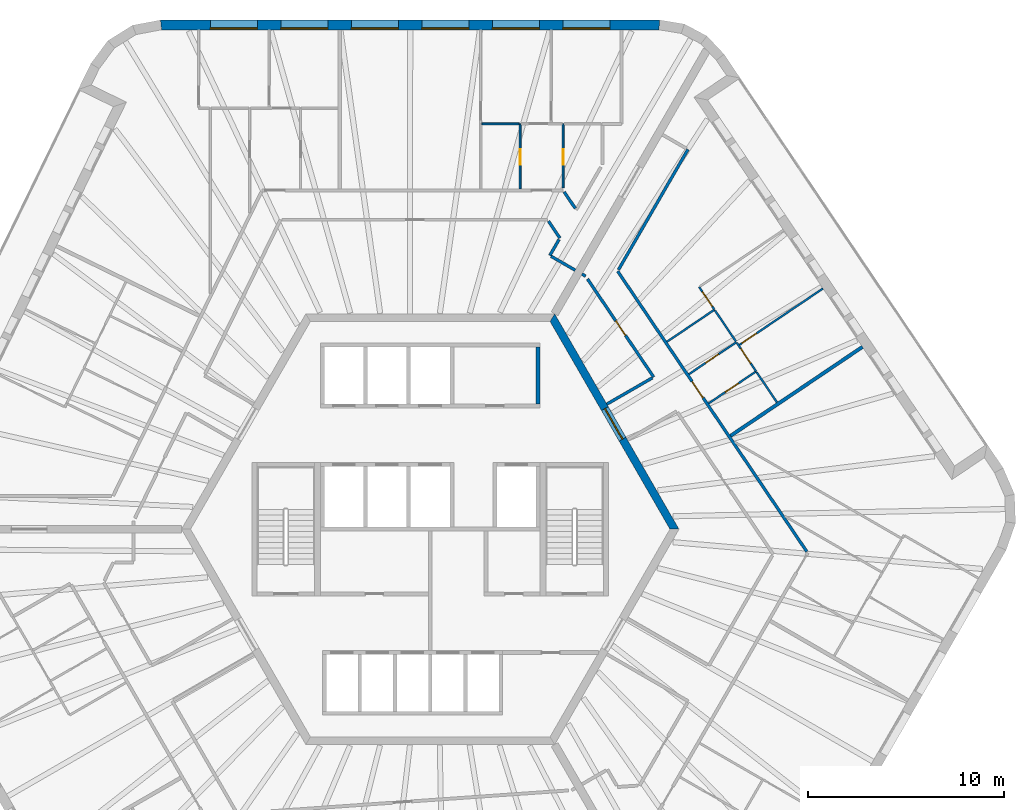
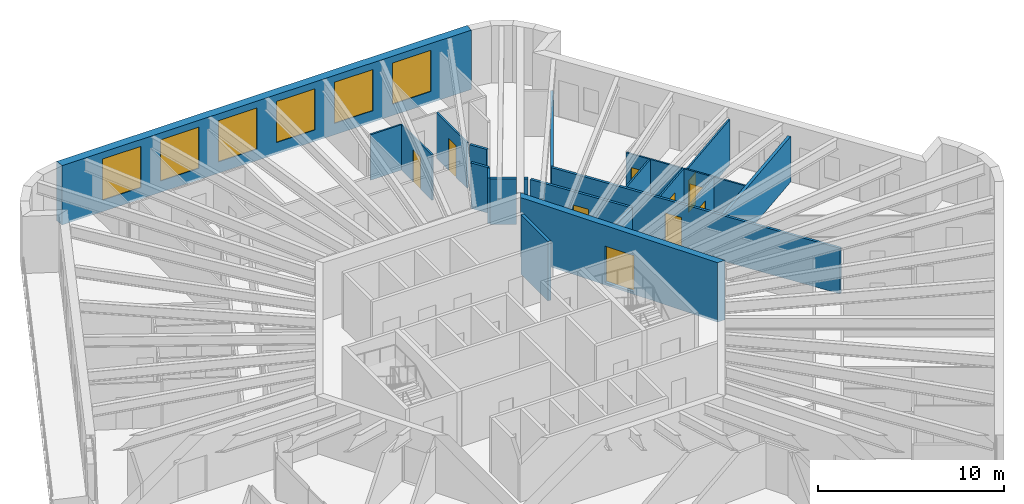
# One storey, part 10 of 12: 24 walls, 10 doors, 6 windows, 16 openings.
"""IFC4 building model written with IfcOpenShell, lengths in metres."""

import ifcopenshell
import ifcopenshell.guid

model = None  # the IFC model being written
_history = None  # IfcOwnerHistory: only IFC2X3 demands one
_inside = {}  # id of a spatial element -> (the spatial element, [elements in it])
_under = {}  # id of a project, library or spatial element -> (it, [spatial elements below it])
_declared = {}  # id of a project -> (the project, [libraries it declares])
_typed = {}  # id of a type object -> (the type object, [elements of that type])
_made_of = {}  # id of a material, layer set ... -> (it, [elements and type objects made of it])


def new_model(schema):
    """Start an empty IFC model of exactly this schema.

    Asked for "IFC4X3", IfcOpenShell would pick the latest addendum, in which some entities
    have other attributes; the version numbers below select the first issue.
    IFC2X3 requires an IfcOwnerHistory on every rooted entity: one is made here for all.
    """
    global model, _history
    if schema == "IFC4X3":
        model = ifcopenshell.file(schema_version=(4, 3, 0, 0))
    else:
        model = ifcopenshell.file(schema=schema)
    _inside.clear()
    _under.clear()
    _declared.clear()
    _typed.clear()
    _made_of.clear()
    _history = None
    if model.schema == "IFC2X3":
        org = make("IfcOrganization", Name="unknown")
        user = make(
            "IfcPersonAndOrganization",
            ThePerson=make("IfcPerson", FamilyName="unknown"),
            TheOrganization=org,
        )
        app = make(
            "IfcApplication",
            ApplicationDeveloper=org,
            Version="unknown",
            ApplicationFullName="unknown",
            ApplicationIdentifier="unknown",
        )
        _history = make(
            "IfcOwnerHistory",
            OwningUser=user,
            OwningApplication=app,
            ChangeAction="ADDED",
            CreationDate=0,
        )
    return model


def make(cls, **values):
    """One entity of the class cls with the attributes given. An attribute that is None is left unset."""
    return model.create_entity(
        cls, **{name: value for name, value in values.items() if value is not None}
    )


def rooted(cls, **values):
    """An entity with a GlobalId (a new one), such as an element, a storey or a relation."""
    return make(cls, GlobalId=ifcopenshell.guid.new(), OwnerHistory=_history, **values)


def si_unit(unit_type, name, prefix=None):
    """IfcSIUnit, for example si_unit("LENGTHUNIT", "METRE", prefix="MILLI")."""
    return make("IfcSIUnit", UnitType=unit_type, Prefix=prefix, Name=name)


def assignment(units):
    """IfcUnitAssignment: the units of a project."""
    return None if units is None else make("IfcUnitAssignment", Units=units)


def point(xyz):
    """IfcCartesianPoint."""
    return None if xyz is None else make("IfcCartesianPoint", Coordinates=xyz)


def direction(xyz):
    """IfcDirection."""
    return None if xyz is None else make("IfcDirection", DirectionRatios=xyz)


def frame(location, z_axis=None, x_axis=None):
    """IfcAxis2Placement3D, a coordinate frame: its origin and axes. An axis left out is left unset."""
    return make(
        "IfcAxis2Placement3D",
        Location=point(location),
        Axis=direction(z_axis),
        RefDirection=direction(x_axis),
    )


def frame_2d(location, x_axis=None):
    """IfcAxis2Placement2D, a coordinate frame in the plane: its origin and x axis."""
    return make(
        "IfcAxis2Placement2D", Location=point(location), RefDirection=direction(x_axis)
    )


def origin():
    """The frame at (0, 0, 0) with its axes left unset."""
    return frame((0.0, 0.0, 0.0))


def place(relative_to, where):
    """IfcLocalPlacement: puts the frame where relative to a parent placement (None: the world)."""
    return make(
        "IfcLocalPlacement", PlacementRelTo=relative_to, RelativePlacement=where
    )


def context(
    kind, dimensions, precision=None, world=None, true_north=None, identifier=None
):
    """IfcGeometricRepresentationContext, for example the 3D "Model" context."""
    return make(
        "IfcGeometricRepresentationContext",
        ContextIdentifier=identifier,
        ContextType=kind,
        CoordinateSpaceDimension=dimensions,
        Precision=precision,
        WorldCoordinateSystem=world,
        TrueNorth=true_north,
    )


def subcontext(parent, identifier, kind, view, scale=None):
    """IfcGeometricRepresentationSubContext, for example "Body" below "Model"."""
    return make(
        "IfcGeometricRepresentationSubContext",
        ContextIdentifier=identifier,
        ContextType=kind,
        ParentContext=parent,
        TargetScale=scale,
        TargetView=view,
    )


def project(units=None, contexts=None):
    """IfcProject with its units and contexts."""
    return rooted(
        "IfcProject",
        Name="project",
        RepresentationContexts=contexts,
        UnitsInContext=assignment(units),
    )


def spatial(cls, under=None, at=None, **own):
    """A site, building, storey or space (cls), placed at a placement, below another one or the project."""
    s = rooted(cls, ObjectPlacement=at, **own)
    if under is not None:
        _under.setdefault(under.id(), (under, []))[1].append(s)
    return s


def polyline(points):
    """IfcPolyline through the points."""
    return make("IfcPolyline", Points=[point(p) for p in points])


def profile(cls, at=None, kind="AREA", **sizes):
    """A parametric profile (cls). Its sizes go by their IFC names, for example OverallWidth=200.0."""
    return make(cls, ProfileType=kind, Position=at, **sizes)


def rectangle(**sizes):
    """IfcRectangleProfileDef."""
    return profile("IfcRectangleProfileDef", **sizes)


def outline(outer, holes=None, kind="AREA"):
    """IfcArbitraryClosedProfileDef: a profile drawn as a closed curve; with holes, ...WithVoids."""
    if holes is None:
        return make("IfcArbitraryClosedProfileDef", ProfileType=kind, OuterCurve=outer)
    return make(
        "IfcArbitraryProfileDefWithVoids",
        ProfileType=kind,
        OuterCurve=outer,
        InnerCurves=holes,
    )


def extrude(swept, where, along, depth):
    """IfcExtrudedAreaSolid: the profile swept, set in the frame where, extruded along a direction by depth."""
    return make(
        "IfcExtrudedAreaSolid",
        SweptArea=swept,
        Position=where,
        ExtrudedDirection=direction(along),
        Depth=depth,
    )


def shape(context_of_items, identifier, shape_type, items):
    """IfcShapeRepresentation: the items that make up one representation, for example the "Body"."""
    return make(
        "IfcShapeRepresentation",
        ContextOfItems=context_of_items,
        RepresentationIdentifier=identifier,
        RepresentationType=shape_type,
        Items=items,
    )


def material(Name=None, Category=None):
    """IfcMaterial."""
    return make("IfcMaterial", Name=Name, Category=Category)


def layer(
    of_material, thickness, ventilated=None, Name=None, Category=None, Priority=None
):
    """IfcMaterialLayer: one layer of a wall or slab, of a material (None: an air gap)."""
    return make(
        "IfcMaterialLayer",
        Material=of_material,
        LayerThickness=thickness,
        IsVentilated=ventilated,
        Name=Name,
        Category=Category,
        Priority=Priority,
    )


def layer_set(layers, Name=None):
    """IfcMaterialLayerSet."""
    return make("IfcMaterialLayerSet", MaterialLayers=layers, LayerSetName=Name)


def made_of(thing, what):
    """Note that an element or type object is made of a material, layer set ...; save() writes the relation."""
    if what is not None:
        _made_of.setdefault(what.id(), (what, []))[1].append(thing)
    return thing


def type_object(cls, material=None, **own):
    """A type object (cls), such as IfcWallType, which elements share."""
    return made_of(rooted(cls, **own), material)


def element(
    cls,
    number,
    at=None,
    inside=None,
    cuts=None,
    type_object=None,
    material=None,
    context=None,
    identifier="Body",
    shape_type=None,
    held_by="IfcProductDefinitionShape",
    body=None,
    shapes=None,
    **own,
):
    """One element of the class cls, such as IfcWall. Its Tag is "e" and its number.

    at: its placement. inside: the storey or other place that contains it. cuts: it is an
    opening in that element (IfcRelVoidsElement). A single representation is given by context,
    identifier, shape_type and body (its items); several are given by shapes. held_by: the class
    of the entity that holds the representations. save() writes the other relations.
    """
    e = rooted(cls, Tag="e%d" % number, ObjectPlacement=at, **own)
    if body is not None:
        shapes = [shape(context, identifier, shape_type, body)]
    if shapes is not None:
        e.Representation = make(held_by, Representations=shapes)
    if inside is not None:
        _inside.setdefault(inside.id(), (inside, []))[1].append(e)
    if cuts is not None:
        rooted(
            "IfcRelVoidsElement", RelatingBuildingElement=cuts, RelatedOpeningElement=e
        )
    if type_object is not None:
        _typed.setdefault(type_object.id(), (type_object, []))[1].append(e)
    return made_of(e, material)


def fill(opening, filler):
    """IfcRelFillsElement: the door or window that sits in an opening."""
    return rooted(
        "IfcRelFillsElement",
        RelatingOpeningElement=opening,
        RelatedBuildingElement=filler,
    )


def aggregate(whole, parts):
    """IfcRelAggregates: a whole, such as a stair, and the parts it consists of."""
    return rooted("IfcRelAggregates", RelatingObject=whole, RelatedObjects=parts)


def save(model, path):
    """Write the relations noted so far, then the file.

    IfcRelAggregates (storeys below a building ...), IfcRelContainedInSpatialStructure (elements
    in a storey), IfcRelDefinesByType, IfcRelAssociatesMaterial and IfcRelDeclares: one each for
    every whole, place, type object, material and project.
    """
    for whole, parts in _under.values():
        aggregate(whole, parts)
    for where, things in _inside.values():
        rooted(
            "IfcRelContainedInSpatialStructure",
            RelatedElements=things,
            RelatingStructure=where,
        )
    for kind, things in _typed.values():
        rooted("IfcRelDefinesByType", RelatedObjects=things, RelatingType=kind)
    for what, things in _made_of.values():
        rooted("IfcRelAssociatesMaterial", RelatedObjects=things, RelatingMaterial=what)
    for by, libraries in _declared.values():
        rooted("IfcRelDeclares", RelatingContext=by, RelatedDefinitions=libraries)
    model.write(path)


model = new_model("IFC4")

# Units and contexts
model_context = context("Model", 3, precision=1e-05, world=origin(), true_north=direction((0.0, 1.0)))
body_context = subcontext(model_context, "Body", "Model", "MODEL_VIEW")
ifc_project = project(units=[si_unit("LENGTHUNIT", "METRE"), si_unit("AREAUNIT", "SQUARE_METRE"), si_unit("VOLUMEUNIT", "CUBIC_METRE"), si_unit("PLANEANGLEUNIT", "RADIAN"), si_unit("MASSUNIT", "GRAM", prefix="KILO")], contexts=[model_context])

# Site, building, storey
site_placement = place(None, origin())
site = spatial("IfcSite", under=ifc_project, at=site_placement, CompositionType="ELEMENT")
building_placement = place(site_placement, origin())
building = spatial("IfcBuilding", under=site, at=building_placement, Name="Tarnside Tower", CompositionType="ELEMENT")
storey_placement = place(building_placement, frame((0.0, 0.0, 283.5)))
storey = spatial("IfcBuildingStorey", under=building, at=storey_placement, Name="L68", CompositionType="ELEMENT", Elevation=283.5)

# Wall, opening, door
ifc_material_1 = material(Name="Gypsum board partition on steel studs", Category="steel")
ifc_layer_1 = layer(ifc_material_1, 0.10009765625)
ifc_layer_set_1 = layer_set([ifc_layer_1], Name="Bathroom wall 100")
wall_type_1 = type_object("IfcWallType", Name="Bathroom wall 100", PredefinedType="PARTITIONING", material=ifc_layer_set_1)
wall_1_placement = place(storey_placement, frame((4.586181640625, 20.699951171875, 0.0), z_axis=(0.0, 0.0, 1.0), x_axis=(0.0, -1.0, 0.0)))
wall_1 = element("IfcWall", 1, at=wall_1_placement, inside=storey, type_object=wall_type_1, Name="Bathroom wall 22088", PredefinedType="PARTITIONING", context=body_context, shape_type="SweptSolid", body=[
    extrude(rectangle(XDim=3.324951171875, YDim=0.10009765625, at=frame_2d((1.66259765625, 0.0))), origin(), (0.0, 0.0, 1.0), 2.98779296875),
])
opening_1_placement = place(wall_1_placement, frame((1.300048828125, 0.0, 0.0)))
opening_1 = element("IfcOpeningElement", 2, at=opening_1_placement, cuts=wall_1, Name="Opening D-B1", PredefinedType="OPENING", context=body_context, shape_type="SweptSolid", body=[
    extrude(rectangle(XDim=0.800048828125, YDim=2.10009765625, at=frame_2d((0.39990234375, 1.050048828125))), frame((0.0, 0.06005859375, 0.0), z_axis=(0.0, -1.0, 0.0), x_axis=(1.0, 0.0, 0.0)), (0.0, 0.0, 1.0), 0.1201171875),
])
ifc_material_2 = material(Name="Timber door leaf", Category="wood")
door_type_1 = type_object("IfcDoorType", Name="Bathroom door 800", OperationType="NOTDEFINED", PredefinedType="DOOR", material=ifc_material_2)
door_1_placement = place(opening_1_placement, origin())
door_1 = element("IfcDoor", 3, at=door_1_placement, inside=storey, type_object=door_type_1, Name="Bathroom door 22002", OperationType="SINGLE_SWING_LEFT", OverallHeight=2.10009765625, OverallWidth=0.800048828125, PredefinedType="DOOR", context=body_context, shape_type="SweptSolid", body=[
    extrude(rectangle(XDim=0.800048828125, YDim=2.10009765625, at=frame_2d((0.39990234375, 1.050048828125))), frame((0.0, 0.02490234375, 0.0), z_axis=(0.0, -1.0, 0.0), x_axis=(1.0, 0.0, 0.0)), (0.0, 0.0, 1.0), 0.050048828125),
])
fill(opening_1, door_1)

wall_2_placement = place(storey_placement, frame((6.7861328125, 17.43408203125, 0.0), z_axis=(0.0, 0.0, 1.0), x_axis=(0.0, 1.0, 0.0)))
wall_2 = element("IfcWall", 4, at=wall_2_placement, inside=storey, type_object=wall_type_1, Name="Bathroom wall 22091", PredefinedType="PARTITIONING", context=body_context, shape_type="SweptSolid", body=[
    extrude(rectangle(XDim=3.265869140625, YDim=0.10009765625, at=frame_2d((1.6328125, 0.0))), origin(), (0.0, 0.0, 1.0), 2.98779296875),
])
opening_2_placement = place(wall_2_placement, frame((1.165771484375, 0.0, 0.0)))
opening_2 = element("IfcOpeningElement", 5, at=opening_2_placement, cuts=wall_2, Name="Opening D-B1", PredefinedType="OPENING", context=body_context, shape_type="SweptSolid", body=[
    extrude(rectangle(XDim=0.800048828125, YDim=2.10009765625, at=frame_2d((0.39990234375, 1.050048828125))), frame((0.0, 0.06005859375, 0.0), z_axis=(0.0, -1.0, 0.0), x_axis=(1.0, 0.0, 0.0)), (0.0, 0.0, 1.0), 0.1201171875),
])
door_2_placement = place(opening_2_placement, origin())
door_2 = element("IfcDoor", 6, at=door_2_placement, inside=storey, type_object=door_type_1, Name="Bathroom door 22011", OperationType="SINGLE_SWING_RIGHT", OverallHeight=2.10009765625, OverallWidth=0.800048828125, PredefinedType="DOOR", context=body_context, shape_type="SweptSolid", body=[
    extrude(rectangle(XDim=0.800048828125, YDim=2.10009765625, at=frame_2d((0.39990234375, 1.050048828125))), frame((0.0, 0.02490234375, 0.0), z_axis=(0.0, -1.0, 0.0), x_axis=(1.0, 0.0, 0.0)), (0.0, 0.0, 1.0), 0.050048828125),
])
fill(opening_2, door_2)

# Walls
wall_3_placement = place(storey_placement, frame((4.5380859375, 20.699951171875, 0.0), z_axis=(0.0, 0.0, 1.0), x_axis=(-1.0, 0.0, 0.0)))
element("IfcWall", 7, at=wall_3_placement, inside=storey, type_object=wall_type_1, Name="Bathroom wall 22092", PredefinedType="PARTITIONING", context=body_context, shape_type="SweptSolid", body=[
    extrude(rectangle(XDim=1.904052734375, YDim=0.10009765625, at=frame_2d((0.9521484375, 0.0))), origin(), (0.0, 0.0, 1.0), 2.98779296875),
])
wall_4_placement = place(storey_placement, frame((12.08935546875, 9.572021484375, 0.0), z_axis=(0.0, 0.0, 1.0), x_axis=(0.829046031219, 0.559180362781, 0.0)))
element("IfcWall", 8, at=wall_4_placement, inside=storey, type_object=wall_type_1, Name="Bathroom wall 22169", PredefinedType="PARTITIONING", context=body_context, shape_type="SweptSolid", body=[
    extrude(rectangle(XDim=2.9248046875, YDim=0.10009765625, at=frame_2d((1.46240234375, 0.0))), origin(), (0.0, 0.0, 1.0), 2.98779296875),
])

# Wall, opening, door
wall_5_placement = place(storey_placement, frame((14.214111328125, 6.421630859375, 0.0), z_axis=(0.0, 0.0, 1.0), x_axis=(0.829072128826, 0.559141668278, 0.0)))
wall_5 = element("IfcWall", 9, at=wall_5_placement, inside=storey, type_object=wall_type_1, Name="Bathroom wall 22170", PredefinedType="PARTITIONING", context=body_context, shape_type="SweptSolid", body=[
    extrude(rectangle(XDim=2.925048828125, YDim=0.10009765625, at=frame_2d((1.46240234375, 0.0))), origin(), (0.0, 0.0, 1.0), 2.98779296875),
])
opening_3_placement = place(wall_5_placement, frame((1.02490234375, 0.0, 0.0)))
opening_3 = element("IfcOpeningElement", 10, at=opening_3_placement, cuts=wall_5, Name="Opening D-B1", PredefinedType="OPENING", context=body_context, shape_type="SweptSolid", body=[
    extrude(rectangle(XDim=0.800048828125, YDim=2.10009765625, at=frame_2d((0.39990234375, 1.050048828125))), frame((0.0, 0.06005859375, 0.0), z_axis=(0.0, -1.0, 0.0), x_axis=(1.0, 0.0, 0.0)), (0.0, 0.0, 1.0), 0.1201171875),
])
door_3_placement = place(opening_3_placement, origin())
door_3 = element("IfcDoor", 11, at=door_3_placement, inside=storey, type_object=door_type_1, Name="Bathroom door 22075", OperationType="SINGLE_SWING_RIGHT", OverallHeight=2.10009765625, OverallWidth=0.800048828125, PredefinedType="DOOR", context=body_context, shape_type="SweptSolid", body=[
    extrude(rectangle(XDim=0.800048828125, YDim=2.10009765625, at=frame_2d((0.39990234375, 1.050048828125))), frame((0.0, 0.02490234375, 0.0), z_axis=(0.0, -1.0, 0.0), x_axis=(1.0, 0.0, 0.0)), (0.0, 0.0, 1.0), 0.050048828125),
])
fill(opening_3, door_3)

wall_6_placement = place(storey_placement, frame((15.632568359375, 9.549560546875, 0.0), z_axis=(0.0, 0.0, 1.0), x_axis=(-0.829033436212, -0.559199035802, 0.0)))
wall_6 = element("IfcWall", 12, at=wall_6_placement, inside=storey, type_object=wall_type_1, Name="Bathroom wall 22173", PredefinedType="PARTITIONING", context=body_context, shape_type="SweptSolid", body=[
    extrude(rectangle(XDim=2.925048828125, YDim=0.10009765625, at=frame_2d((1.46240234375, 0.0))), origin(), (0.0, 0.0, 1.0), 2.98779296875),
])
opening_4_placement = place(wall_6_placement, frame((1.10009765625, 0.0, 0.0)))
opening_4 = element("IfcOpeningElement", 13, at=opening_4_placement, cuts=wall_6, Name="Opening D-B1", PredefinedType="OPENING", context=body_context, shape_type="SweptSolid", body=[
    extrude(rectangle(XDim=0.800048828125, YDim=2.10009765625, at=frame_2d((0.39990234375, 1.050048828125))), frame((0.0, 0.06005859375, 0.0), z_axis=(0.0, -1.0, 0.0), x_axis=(1.0, 0.0, 0.0)), (0.0, 0.0, 1.0), 0.1201171875),
])
door_4_placement = place(opening_4_placement, origin())
door_4 = element("IfcDoor", 14, at=door_4_placement, inside=storey, type_object=door_type_1, Name="Bathroom door 22082", OperationType="SINGLE_SWING_LEFT", OverallHeight=2.10009765625, OverallWidth=0.800048828125, PredefinedType="DOOR", context=body_context, shape_type="SweptSolid", body=[
    extrude(rectangle(XDim=0.800048828125, YDim=2.10009765625, at=frame_2d((0.39990234375, 1.050048828125))), frame((0.0, 0.02490234375, 0.0), z_axis=(0.0, -1.0, 0.0), x_axis=(1.0, 0.0, 0.0)), (0.0, 0.0, 1.0), 0.050048828125),
])
fill(opening_4, door_4)

# Walls
wall_7_placement = place(storey_placement, frame((17.707275390625, 6.473876953125, 0.0), z_axis=(0.0, 0.0, 1.0), x_axis=(-0.559261140113, 0.828991542273, 0.0)))
element("IfcWall", 15, at=wall_7_placement, inside=storey, type_object=wall_type_1, Name="Bathroom wall 22174", PredefinedType="PARTITIONING", context=body_context, shape_type="SweptSolid", body=[
    extrude(rectangle(XDim=1.86181640625, YDim=0.10009765625, at=frame_2d((0.930908203125, 0.0))), origin(), (0.0, 0.0, 1.0), 2.98779296875),
])
wall_8_placement = place(storey_placement, frame((14.542236328125, 11.166015625, 0.0), z_axis=(0.0, 0.0, 1.0), x_axis=(0.559170428633, -0.829052731581, 0.0)))
element("IfcWall", 16, at=wall_8_placement, inside=storey, type_object=wall_type_1, Name="Bathroom wall 22176", PredefinedType="PARTITIONING", context=body_context, shape_type="SweptSolid", body=[
    extrude(rectangle(XDim=1.899658203125, YDim=0.10009765625, at=frame_2d((0.94970703125, 0.0))), origin(), (0.0, 0.0, 1.0), 2.98779296875),
])

# Wall, opening, door
ifc_material_3 = material(Name="Concrete C60/75", Category="concrete")
ifc_layer_2 = layer(ifc_material_3, 0.39990234375)
ifc_layer_set_2 = layer_set([ifc_layer_2], Name="Core wall Z3 400 C60/75")
wall_type_2 = type_object("IfcWallType", Name="Core wall Z3 400 C60/75", PredefinedType="SHEAR", material=ifc_layer_set_2)
wall_9_placement = place(storey_placement, frame((12.470703125, 0.0, -0.14990234375), z_axis=(0.0, 0.0, 1.0), x_axis=(-0.499996419489, 0.866027470984, 0.0)))
wall_9 = element("IfcWall", 17, at=wall_9_placement, inside=storey, type_object=wall_type_2, Name="L68 core wall face 6", PredefinedType="SHEAR", context=body_context, shape_type="SweptSolid", body=[
    extrude(outline(polyline([(-0.115478515625, -0.199951171875), (12.586181640625, -0.199951171875), (12.355224609375, 0.199951171875), (0.115478515625, 0.199951171875), (-0.115478515625, -0.199951171875)])), origin(), (0.0, 0.0, 1.0), 3.89990234375),
])
opening_5_placement = place(wall_9_placement, frame((5.306396484375, 0.0, 0.14990234375)))
opening_5 = element("IfcOpeningElement", 18, at=opening_5_placement, cuts=wall_9, Name="Opening CD-LOB", PredefinedType="OPENING", context=body_context, shape_type="SweptSolid", body=[
    extrude(rectangle(XDim=1.800048828125, YDim=2.39990234375, at=frame_2d((0.89990234375, 1.199951171875))), frame((0.0, 0.2099609375, 0.0), z_axis=(0.0, -1.0, 0.0), x_axis=(1.0, 0.0, 0.0)), (0.0, 0.0, 1.0), 0.419921875),
])
ifc_material_4 = material(Name="Steel fire door", Category="steel")
door_type_2 = type_object("IfcDoorType", Name="Lobby double door FD30S 1800x2400", OperationType="NOTDEFINED", PredefinedType="DOOR", material=ifc_material_4)
door_5_placement = place(opening_5_placement, origin())
door_5 = element("IfcDoor", 19, at=door_5_placement, inside=storey, type_object=door_type_2, Name="L68 core door P2", OperationType="DOUBLE_DOOR_SINGLE_SWING", OverallHeight=2.39990234375, OverallWidth=1.800048828125, PredefinedType="DOOR", context=body_context, shape_type="SweptSolid", body=[
    extrude(rectangle(XDim=1.800048828125, YDim=2.39990234375, at=frame_2d((0.89990234375, 1.199951171875))), frame((0.0, 0.02490234375, 0.0), z_axis=(0.0, -1.0, 0.0), x_axis=(1.0, 0.0, 0.0)), (0.0, 0.0, 1.0), 0.050048828125),
])
fill(opening_5, door_5)

# Walls
ifc_layer_3 = layer(ifc_material_1, 0.14990234375)
ifc_layer_set_3 = layer_set([ifc_layer_3], Name="Corridor wall 150 EI 60")
wall_type_3 = type_object("IfcWallType", Name="Corridor wall 150 EI 60", PredefinedType="PARTITIONING", material=ifc_layer_set_3)
wall_10_placement = place(storey_placement, frame((7.406982421875, 16.37939453125, 0.0), z_axis=(0.0, 0.0, 1.0), x_axis=(-0.559111060147, 0.829092770697, 0.0)))
element("IfcWall", 20, at=wall_10_placement, inside=storey, type_object=wall_type_3, Name="Corridor wall 22008", PredefinedType="PARTITIONING", context=body_context, shape_type="SweptSolid", body=[
    extrude(rectangle(XDim=1.02001953125, YDim=0.14990234375, at=frame_2d((0.510009765625, 0.0))), origin(), (0.0, 0.0, 1.0), 2.98779296875),
])
wall_11_placement = place(storey_placement, frame((6.0390625, 15.72509765625, 0.0), z_axis=(0.0, 0.0, 1.0), x_axis=(0.559307154107, -0.828960498073, 0.0)))
element("IfcWall", 21, at=wall_11_placement, inside=storey, type_object=wall_type_3, Name="Corridor wall 22023", PredefinedType="PARTITIONING", context=body_context, shape_type="SweptSolid", body=[
    extrude(rectangle(XDim=1.03759765625, YDim=0.14990234375, at=frame_2d((0.518798828125, 0.0))), origin(), (0.0, 0.0, 1.0), 2.98779296875),
])
wall_12_placement = place(storey_placement, frame((6.57763671875, 14.792724609375, 0.0), z_axis=(0.0, 0.0, 1.0), x_axis=(-0.499998034377, -0.866026538634, 0.0)))
element("IfcWall", 22, at=wall_12_placement, inside=storey, type_object=wall_type_3, Name="Corridor wall 22024", PredefinedType="PARTITIONING", context=body_context, shape_type="SweptSolid", body=[
    extrude(rectangle(XDim=0.94580078125, YDim=0.14990234375, at=frame_2d((0.472900390625, 0.0))), origin(), (0.0, 0.0, 1.0), 2.98779296875),
])
wall_13_placement = place(storey_placement, frame((6.169677734375, 13.936279296875, 0.0), z_axis=(0.0, 0.0, 1.0), x_axis=(0.865988727248, -0.500063520245, 0.0)))
element("IfcWall", 23, at=wall_13_placement, inside=storey, type_object=wall_type_3, Name="Corridor wall 22025", PredefinedType="PARTITIONING", context=body_context, shape_type="SweptSolid", body=[
    extrude(rectangle(XDim=1.425048828125, YDim=0.14990234375, at=frame_2d((0.71240234375, 0.0))), origin(), (0.0, 0.0, 1.0), 2.98779296875),
])

# Wall, opening, door
wall_14_placement = place(storey_placement, frame((19.22802734375, -1.14599609375, 0.0), z_axis=(0.0, 0.0, 1.0), x_axis=(-0.559173750718, 0.829050490928, 0.0)))
wall_14 = element("IfcWall", 24, at=wall_14_placement, inside=storey, type_object=wall_type_3, Name="Corridor wall 22061", PredefinedType="PARTITIONING", context=body_context, shape_type="SweptSolid", body=[
    extrude(rectangle(XDim=17.273193359375, YDim=0.14990234375, at=frame_2d((8.63671875, 0.0))), origin(), (0.0, 0.0, 1.0), 2.98779296875),
])
opening_6_placement = place(wall_14_placement, frame((9.4775390625, 0.0, 0.0)))
opening_6 = element("IfcOpeningElement", 25, at=opening_6_placement, cuts=wall_14, Name="Opening D-E1", PredefinedType="OPENING", context=body_context, shape_type="SweptSolid", body=[
    extrude(rectangle(XDim=1.0, YDim=2.10009765625, at=frame_2d((0.5, 1.050048828125))), frame((0.0, 0.0849609375, 0.0), z_axis=(0.0, -1.0, 0.0), x_axis=(1.0, 0.0, 0.0)), (0.0, 0.0, 1.0), 0.169921875),
])
door_type_3 = type_object("IfcDoorType", Name="Unit entrance door 1000 FD30S", OperationType="NOTDEFINED", PredefinedType="DOOR", material=ifc_material_2)
door_6_placement = place(opening_6_placement, origin())
door_6 = element("IfcDoor", 26, at=door_6_placement, inside=storey, type_object=door_type_3, Name="Unit door 22074", OperationType="SINGLE_SWING_LEFT", OverallHeight=2.10009765625, OverallWidth=1.0, PredefinedType="DOOR", context=body_context, shape_type="SweptSolid", body=[
    extrude(rectangle(XDim=1.0, YDim=2.10009765625, at=frame_2d((0.5, 1.050048828125))), frame((0.0, 0.02490234375, 0.0), z_axis=(0.0, -1.0, 0.0), x_axis=(1.0, 0.0, 0.0)), (0.0, 0.0, 1.0), 0.050048828125),
])
fill(opening_6, door_6)

# Walls
wall_15_placement = place(storey_placement, frame((9.61083984375, 13.246337890625, 0.0), z_axis=(0.0, 0.0, 1.0), x_axis=(0.499994435258, 0.866028616566, 0.0)))
element("IfcWall", 27, at=wall_15_placement, inside=storey, type_object=wall_type_3, Name="Corridor wall 22067", PredefinedType="PARTITIONING", context=body_context, shape_type="SweptSolid", body=[
    extrude(rectangle(XDim=7.0966796875, YDim=0.14990234375, at=frame_2d((3.54833984375, 0.0))), origin(), (0.0, 0.0, 1.0), 2.98779296875),
])
wall_16_placement = place(storey_placement, frame((7.750244140625, 13.023681640625, 0.0), z_axis=(0.0, 0.0, 1.0), x_axis=(0.866088799389, -0.499890179513, 0.0)))
element("IfcWall", 28, at=wall_16_placement, inside=storey, type_object=wall_type_3, Name="Corridor wall 22081", PredefinedType="PARTITIONING", context=body_context, shape_type="SweptSolid", body=[
    extrude(rectangle(XDim=0.2099609375, YDim=0.14990234375, at=frame_2d((0.10498046875, 0.0))), origin(), (0.0, 0.0, 1.0), 2.98779296875),
])

# Wall, opening, door
wall_17_placement = place(storey_placement, frame((8.02783203125, 12.77685546875, 0.0), z_axis=(0.0, 0.0, 1.0), x_axis=(0.559175239609, -0.829049486707, 0.0)))
wall_17 = element("IfcWall", 29, at=wall_17_placement, inside=storey, type_object=wall_type_3, Name="Corridor wall 22082", PredefinedType="PARTITIONING", context=body_context, shape_type="SweptSolid", body=[
    extrude(rectangle(XDim=6.044921875, YDim=0.14990234375, at=frame_2d((3.0224609375, 0.0))), origin(), (0.0, 0.0, 1.0), 2.98779296875),
])
opening_7_placement = place(wall_17_placement, frame((2.572265625, 0.0, 0.0)))
opening_7 = element("IfcOpeningElement", 30, at=opening_7_placement, cuts=wall_17, Name="Opening D-S1", PredefinedType="OPENING", context=body_context, shape_type="SweptSolid", body=[
    extrude(rectangle(XDim=0.89990234375, YDim=2.10009765625, at=frame_2d((0.449951171875, 1.050048828125))), frame((0.0, 0.0849609375, 0.0), z_axis=(0.0, -1.0, 0.0), x_axis=(1.0, 0.0, 0.0)), (0.0, 0.0, 1.0), 0.169921875),
])
door_type_4 = type_object("IfcDoorType", Name="Service room door 900 FD30S", OperationType="NOTDEFINED", PredefinedType="DOOR", material=ifc_material_2)
door_7_placement = place(opening_7_placement, origin())
door_7 = element("IfcDoor", 31, at=door_7_placement, inside=storey, type_object=door_type_4, Name="Service door 22092", OperationType="SINGLE_SWING_RIGHT", OverallHeight=2.10009765625, OverallWidth=0.89990234375, PredefinedType="DOOR", context=body_context, shape_type="SweptSolid", body=[
    extrude(rectangle(XDim=0.89990234375, YDim=2.10009765625, at=frame_2d((0.449951171875, 1.050048828125))), frame((0.0, 0.02490234375, 0.0), z_axis=(0.0, -1.0, 0.0), x_axis=(1.0, 0.0, 0.0)), (0.0, 0.0, 1.0), 0.050048828125),
])
fill(opening_7, door_7)

# Walls
wall_18_placement = place(storey_placement, frame((11.3427734375, 7.727783203125, 0.0), z_axis=(0.0, 0.0, 1.0), x_axis=(-0.866037314867, -0.499979368833, 0.0)))
element("IfcWall", 32, at=wall_18_placement, inside=storey, type_object=wall_type_3, Name="Corridor wall 22083", PredefinedType="PARTITIONING", context=body_context, shape_type="SweptSolid", body=[
    extrude(rectangle(XDim=2.68701171875, YDim=0.14990234375, at=frame_2d((1.343505859375, 0.0))), origin(), (0.0, 0.0, 1.0), 2.98779296875),
])
ifc_layer_4 = layer(ifc_material_1, 0.179931640625)
ifc_layer_set_4 = layer_set([ifc_layer_4], Name="Demising wall 180 EI 60")
wall_type_4 = type_object("IfcWallType", Name="Demising wall 180 EI 60", PredefinedType="PARTITIONING", material=ifc_layer_set_4)
wall_19_placement = place(storey_placement, frame((22.068603515625, 9.306884765625, 0.0), z_axis=(0.0, 0.0, 1.0), x_axis=(-0.829042649773, -0.559185376111, 0.0)))
element("IfcWall", 33, at=wall_19_placement, inside=storey, type_object=wall_type_4, Name="Demising wall 22158", PredefinedType="PARTITIONING", context=body_context, shape_type="SweptSolid", body=[
    extrude(rectangle(XDim=8.125244140625, YDim=0.179931640625, at=frame_2d((4.0625, 0.0))), origin(), (0.0, 0.0, 1.0), 2.98779296875),
])
ifc_material_5 = material(Name="Concrete C40/50", Category="concrete")
ifc_layer_5 = layer(ifc_material_5, 0.199951171875)
ifc_layer_set_5 = layer_set([ifc_layer_5], Name="Lift shaft wall 200 C40/50")
wall_type_5 = type_object("IfcWallType", Name="Lift shaft wall 200 C40/50", PredefinedType="SHEAR", material=ifc_layer_set_5)
wall_20_placement = place(storey_placement, frame((5.5, 6.39990234375, -0.25), z_axis=(0.0, 0.0, 1.0), x_axis=(0.0, 1.0, 0.0)))
element("IfcWall", 34, at=wall_20_placement, inside=storey, type_object=wall_type_5, Name="L68 lift shaft partition R16", PredefinedType="SHEAR", context=body_context, shape_type="SweptSolid", body=[
    extrude(rectangle(XDim=2.900146484375, YDim=0.199951171875, at=frame_2d((1.4501953125, 0.0))), origin(), (0.0, 0.0, 1.0), 3.89990234375),
])

# Wall, opening, door
ifc_layer_6 = layer(ifc_material_1, 0.10009765625)
ifc_layer_set_6 = layer_set([ifc_layer_6], Name="Partition 100")
wall_type_6 = type_object("IfcWallType", Name="Partition 100", PredefinedType="PARTITIONING", material=ifc_layer_set_6)
wall_21_placement = place(storey_placement, frame((14.515380859375, 11.205810546875, 0.0), z_axis=(0.0, 0.0, 1.0), x_axis=(-0.559272477643, 0.828983893542, 0.0)))
wall_21 = element("IfcWall", 35, at=wall_21_placement, inside=storey, type_object=wall_type_6, Name="Partition wall 22167", PredefinedType="PARTITIONING", context=body_context, shape_type="SweptSolid", body=[
    extrude(rectangle(XDim=1.402099609375, YDim=0.10009765625, at=frame_2d((0.701171875, 0.0))), origin(), (0.0, 0.0, 1.0), 2.98779296875),
])
opening_8_placement = place(wall_21_placement, frame((0.199951171875, 0.0, 0.0)))
opening_8 = element("IfcOpeningElement", 36, at=opening_8_placement, cuts=wall_21, Name="Opening D-I1", PredefinedType="OPENING", context=body_context, shape_type="SweptSolid", body=[
    extrude(rectangle(XDim=0.89990234375, YDim=2.10009765625, at=frame_2d((0.449951171875, 1.050048828125))), frame((0.0, 0.06005859375, 0.0), z_axis=(0.0, -1.0, 0.0), x_axis=(1.0, 0.0, 0.0)), (0.0, 0.0, 1.0), 0.1201171875),
])
door_type_5 = type_object("IfcDoorType", Name="Internal door 900", OperationType="NOTDEFINED", PredefinedType="DOOR", material=ifc_material_2)
door_8_placement = place(opening_8_placement, origin())
door_8 = element("IfcDoor", 37, at=door_8_placement, inside=storey, type_object=door_type_5, Name="Internal door 22081", OperationType="SINGLE_SWING_RIGHT", OverallHeight=2.10009765625, OverallWidth=0.89990234375, PredefinedType="DOOR", context=body_context, shape_type="SweptSolid", body=[
    extrude(rectangle(XDim=0.89990234375, YDim=2.10009765625, at=frame_2d((0.449951171875, 1.050048828125))), frame((0.0, 0.02490234375, 0.0), z_axis=(0.0, -1.0, 0.0), x_axis=(1.0, 0.0, 0.0)), (0.0, 0.0, 1.0), 0.050048828125),
])
fill(opening_8, door_8)

wall_22_placement = place(storey_placement, frame((16.64013671875, 8.0556640625, 0.0), z_axis=(0.0, 0.0, 1.0), x_axis=(-0.559157243835, 0.829061624167, 0.0)))
wall_22 = element("IfcWall", 38, at=wall_22_placement, inside=storey, type_object=wall_type_6, Name="Partition wall 22171", PredefinedType="PARTITIONING", context=body_context, shape_type="SweptSolid", body=[
    extrude(rectangle(XDim=1.75390625, YDim=0.10009765625, at=frame_2d((0.876953125, 0.0))), origin(), (0.0, 0.0, 1.0), 2.98779296875),
])
opening_9_placement = place(wall_22_placement, frame((0.501953125, 0.0, 0.0)))
opening_9 = element("IfcOpeningElement", 39, at=opening_9_placement, cuts=wall_22, Name="Opening D-I1", PredefinedType="OPENING", context=body_context, shape_type="SweptSolid", body=[
    extrude(rectangle(XDim=0.89990234375, YDim=2.10009765625, at=frame_2d((0.449951171875, 1.050048828125))), frame((0.0, 0.06005859375, 0.0), z_axis=(0.0, -1.0, 0.0), x_axis=(1.0, 0.0, 0.0)), (0.0, 0.0, 1.0), 0.1201171875),
])
door_9_placement = place(opening_9_placement, origin())
door_9 = element("IfcDoor", 40, at=door_9_placement, inside=storey, type_object=door_type_5, Name="Internal door 22077", OperationType="SINGLE_SWING_RIGHT", OverallHeight=2.10009765625, OverallWidth=0.89990234375, PredefinedType="DOOR", context=body_context, shape_type="SweptSolid", body=[
    extrude(rectangle(XDim=0.89990234375, YDim=2.10009765625, at=frame_2d((0.449951171875, 1.050048828125))), frame((0.0, 0.02490234375, 0.0), z_axis=(0.0, -1.0, 0.0), x_axis=(1.0, 0.0, 0.0)), (0.0, 0.0, 1.0), 0.050048828125),
])
fill(opening_9, door_9)

wall_23_placement = place(storey_placement, frame((20.055419921875, 12.29150390625, 0.0), z_axis=(0.0, 0.0, 1.0), x_axis=(-0.82903328576, -0.559199258853, 0.0)))
wall_23 = element("IfcWall", 41, at=wall_23_placement, inside=storey, type_object=wall_type_6, Name="Partition wall 22175", PredefinedType="PARTITIONING", context=body_context, shape_type="SweptSolid", body=[
    extrude(rectangle(XDim=5.14990234375, YDim=0.10009765625, at=frame_2d((2.574951171875, 0.0))), origin(), (0.0, 0.0, 1.0), 2.98779296875),
])
opening_10_placement = place(wall_23_placement, frame((4.10009765625, 0.0, 0.0)))
opening_10 = element("IfcOpeningElement", 42, at=opening_10_placement, cuts=wall_23, Name="Opening D-I1", PredefinedType="OPENING", context=body_context, shape_type="SweptSolid", body=[
    extrude(rectangle(XDim=0.89990234375, YDim=2.10009765625, at=frame_2d((0.449951171875, 1.050048828125))), frame((0.0, 0.06005859375, 0.0), z_axis=(0.0, -1.0, 0.0), x_axis=(1.0, 0.0, 0.0)), (0.0, 0.0, 1.0), 0.1201171875),
])
door_10_placement = place(opening_10_placement, origin())
door_10 = element("IfcDoor", 43, at=door_10_placement, inside=storey, type_object=door_type_5, Name="Internal door 22080", OperationType="SINGLE_SWING_RIGHT", OverallHeight=2.10009765625, OverallWidth=0.89990234375, PredefinedType="DOOR", context=body_context, shape_type="SweptSolid", body=[
    extrude(rectangle(XDim=0.89990234375, YDim=2.10009765625, at=frame_2d((0.449951171875, 1.050048828125))), frame((0.0, 0.02490234375, 0.0), z_axis=(0.0, -1.0, 0.0), x_axis=(1.0, 0.0, 0.0)), (0.0, 0.0, 1.0), 0.050048828125),
])
fill(opening_10, door_10)

# Wall, openings, windows
ifc_material_6 = material(Name="Facing brick", Category="masonry")
ifc_layer_7 = layer(ifc_material_6, 0.10205078125)
ifc_material_7 = material(Name="Concrete C60/75 precast", Category="concrete")
ifc_layer_8 = layer(ifc_material_7, 0.298095703125)
ifc_material_8 = material(Name="Mineral wool insulation")
ifc_layer_9 = layer(ifc_material_8, 0.10009765625)
ifc_layer_set_7 = layer_set([ifc_layer_7, ifc_layer_8, ifc_layer_9], Name="Tube wall 500 brick faced")
wall_type_7 = type_object("IfcWallType", Name="Tube wall 500 brick faced", PredefinedType="SOLIDWALL", material=ifc_layer_set_7)
wall_24_placement = place(storey_placement, frame((11.697509765625, 25.75, -0.14990234375), z_axis=(0.0, 0.0, 1.0), x_axis=(-1.0, 0.0, 0.0)))
wall_24 = element("IfcWall", 44, at=wall_24_placement, inside=storey, type_object=wall_type_7, Name="Tube wall L68 F1 flush 00", PredefinedType="SOLIDWALL", context=body_context, shape_type="SweptSolid", body=[
    extrude(outline(polyline([(-0.0205078125, -0.25), (25.468017578125, -0.25), (25.421142578125, 0.25), (0.0205078125, 0.25), (-0.0205078125, -0.25)])), origin(), (0.0, 0.0, 1.0), 3.89990234375),
])
opening_11_placement = place(wall_24_placement, frame((2.5224609375, 0.0, 0.75)))
opening_11 = element("IfcOpeningElement", 45, at=opening_11_placement, cuts=wall_24, Name="Opening WR", PredefinedType="OPENING", context=body_context, shape_type="SweptSolid", body=[
    extrude(rectangle(XDim=2.39990234375, YDim=2.699951171875, at=frame_2d((1.199951171875, 1.35009765625))), frame((0.0, 0.260009765625, 0.0), z_axis=(0.0, -1.0, 0.0), x_axis=(1.0, 0.0, 0.0)), (0.0, 0.0, 1.0), 0.52001953125),
])
opening_12_placement = place(wall_24_placement, frame((6.122314453125, 0.0, 0.75)))
opening_12 = element("IfcOpeningElement", 46, at=opening_12_placement, cuts=wall_24, Name="Opening WR", PredefinedType="OPENING", context=body_context, shape_type="SweptSolid", body=[
    extrude(rectangle(XDim=2.39990234375, YDim=2.699951171875, at=frame_2d((1.199951171875, 1.35009765625))), frame((0.0, 0.260009765625, 0.0), z_axis=(0.0, -1.0, 0.0), x_axis=(1.0, 0.0, 0.0)), (0.0, 0.0, 1.0), 0.52001953125),
])
opening_13_placement = place(wall_24_placement, frame((9.722412109375, 0.0, 0.75)))
opening_13 = element("IfcOpeningElement", 47, at=opening_13_placement, cuts=wall_24, Name="Opening WR", PredefinedType="OPENING", context=body_context, shape_type="SweptSolid", body=[
    extrude(rectangle(XDim=2.39990234375, YDim=2.699951171875, at=frame_2d((1.199951171875, 1.35009765625))), frame((0.0, 0.260009765625, 0.0), z_axis=(0.0, -1.0, 0.0), x_axis=(1.0, 0.0, 0.0)), (0.0, 0.0, 1.0), 0.52001953125),
])
opening_14_placement = place(wall_24_placement, frame((13.322509765625, 0.0, 0.75)))
opening_14 = element("IfcOpeningElement", 48, at=opening_14_placement, cuts=wall_24, Name="Opening WR", PredefinedType="OPENING", context=body_context, shape_type="SweptSolid", body=[
    extrude(rectangle(XDim=2.39990234375, YDim=2.699951171875, at=frame_2d((1.199951171875, 1.35009765625))), frame((0.0, 0.260009765625, 0.0), z_axis=(0.0, -1.0, 0.0), x_axis=(1.0, 0.0, 0.0)), (0.0, 0.0, 1.0), 0.52001953125),
])
opening_15_placement = place(wall_24_placement, frame((16.92236328125, 0.0, 0.75)))
opening_15 = element("IfcOpeningElement", 49, at=opening_15_placement, cuts=wall_24, Name="Opening WR", PredefinedType="OPENING", context=body_context, shape_type="SweptSolid", body=[
    extrude(rectangle(XDim=2.39990234375, YDim=2.699951171875, at=frame_2d((1.199951171875, 1.35009765625))), frame((0.0, 0.260009765625, 0.0), z_axis=(0.0, -1.0, 0.0), x_axis=(1.0, 0.0, 0.0)), (0.0, 0.0, 1.0), 0.52001953125),
])
opening_16_placement = place(wall_24_placement, frame((20.5224609375, 0.0, 0.75)))
opening_16 = element("IfcOpeningElement", 50, at=opening_16_placement, cuts=wall_24, Name="Opening WR", PredefinedType="OPENING", context=body_context, shape_type="SweptSolid", body=[
    extrude(rectangle(XDim=2.39990234375, YDim=2.699951171875, at=frame_2d((1.199951171875, 1.35009765625))), frame((0.0, 0.260009765625, 0.0), z_axis=(0.0, -1.0, 0.0), x_axis=(1.0, 0.0, 0.0)), (0.0, 0.0, 1.0), 0.52001953125),
])
ifc_material_9 = material(Name="Aluminium-framed double glazing", Category="aluminium")
window_type = type_object("IfcWindowType", Name="Residence window 2400 x 2700", PartitioningType="DOUBLE_PANEL_VERTICAL", PredefinedType="WINDOW", material=ifc_material_9)
window_1_placement = place(opening_11_placement, frame((0.0, 0.179931640625, 0.0)))
window_1 = element("IfcWindow", 51, at=window_1_placement, inside=storey, type_object=window_type, Name="E.WN.L68.F1.00", OverallHeight=2.699951171875, OverallWidth=2.39990234375, PartitioningType="DOUBLE_PANEL_VERTICAL", PredefinedType="WINDOW", context=body_context, shape_type="SweptSolid", body=[
    extrude(rectangle(XDim=2.39990234375, YDim=2.699951171875, at=frame_2d((1.199951171875, 1.35009765625))), frame((0.0, 0.030029296875, 0.0), z_axis=(0.0, -1.0, 0.0), x_axis=(1.0, 0.0, 0.0)), (0.0, 0.0, 1.0), 0.06005859375),
])
fill(opening_11, window_1)
window_2_placement = place(opening_12_placement, frame((0.0, 0.179931640625, 0.0)))
window_2 = element("IfcWindow", 52, at=window_2_placement, inside=storey, type_object=window_type, Name="E.WN.L68.F1.01", OverallHeight=2.699951171875, OverallWidth=2.39990234375, PartitioningType="DOUBLE_PANEL_VERTICAL", PredefinedType="WINDOW", context=body_context, shape_type="SweptSolid", body=[
    extrude(rectangle(XDim=2.39990234375, YDim=2.699951171875, at=frame_2d((1.199951171875, 1.35009765625))), frame((0.0, 0.030029296875, 0.0), z_axis=(0.0, -1.0, 0.0), x_axis=(1.0, 0.0, 0.0)), (0.0, 0.0, 1.0), 0.06005859375),
])
fill(opening_12, window_2)
window_3_placement = place(opening_13_placement, frame((0.0, 0.179931640625, 0.0)))
window_3 = element("IfcWindow", 53, at=window_3_placement, inside=storey, type_object=window_type, Name="E.WN.L68.F1.02", OverallHeight=2.699951171875, OverallWidth=2.39990234375, PartitioningType="DOUBLE_PANEL_VERTICAL", PredefinedType="WINDOW", context=body_context, shape_type="SweptSolid", body=[
    extrude(rectangle(XDim=2.39990234375, YDim=2.699951171875, at=frame_2d((1.199951171875, 1.35009765625))), frame((0.0, 0.030029296875, 0.0), z_axis=(0.0, -1.0, 0.0), x_axis=(1.0, 0.0, 0.0)), (0.0, 0.0, 1.0), 0.06005859375),
])
fill(opening_13, window_3)
window_4_placement = place(opening_14_placement, frame((0.0, 0.179931640625, 0.0)))
window_4 = element("IfcWindow", 54, at=window_4_placement, inside=storey, type_object=window_type, Name="E.WN.L68.F1.03", OverallHeight=2.699951171875, OverallWidth=2.39990234375, PartitioningType="DOUBLE_PANEL_VERTICAL", PredefinedType="WINDOW", context=body_context, shape_type="SweptSolid", body=[
    extrude(rectangle(XDim=2.39990234375, YDim=2.699951171875, at=frame_2d((1.199951171875, 1.35009765625))), frame((0.0, 0.030029296875, 0.0), z_axis=(0.0, -1.0, 0.0), x_axis=(1.0, 0.0, 0.0)), (0.0, 0.0, 1.0), 0.06005859375),
])
fill(opening_14, window_4)
window_5_placement = place(opening_15_placement, frame((0.0, 0.179931640625, 0.0)))
window_5 = element("IfcWindow", 55, at=window_5_placement, inside=storey, type_object=window_type, Name="E.WN.L68.F1.04", OverallHeight=2.699951171875, OverallWidth=2.39990234375, PartitioningType="DOUBLE_PANEL_VERTICAL", PredefinedType="WINDOW", context=body_context, shape_type="SweptSolid", body=[
    extrude(rectangle(XDim=2.39990234375, YDim=2.699951171875, at=frame_2d((1.199951171875, 1.35009765625))), frame((0.0, 0.030029296875, 0.0), z_axis=(0.0, -1.0, 0.0), x_axis=(1.0, 0.0, 0.0)), (0.0, 0.0, 1.0), 0.06005859375),
])
fill(opening_15, window_5)
window_6_placement = place(opening_16_placement, frame((0.0, 0.179931640625, 0.0)))
window_6 = element("IfcWindow", 56, at=window_6_placement, inside=storey, type_object=window_type, Name="E.WN.L68.F1.05", OverallHeight=2.699951171875, OverallWidth=2.39990234375, PartitioningType="DOUBLE_PANEL_VERTICAL", PredefinedType="WINDOW", context=body_context, shape_type="SweptSolid", body=[
    extrude(rectangle(XDim=2.39990234375, YDim=2.699951171875, at=frame_2d((1.199951171875, 1.35009765625))), frame((0.0, 0.030029296875, 0.0), z_axis=(0.0, -1.0, 0.0), x_axis=(1.0, 0.0, 0.0)), (0.0, 0.0, 1.0), 0.06005859375),
])
fill(opening_16, window_6)

save(model, "model.ifc")
